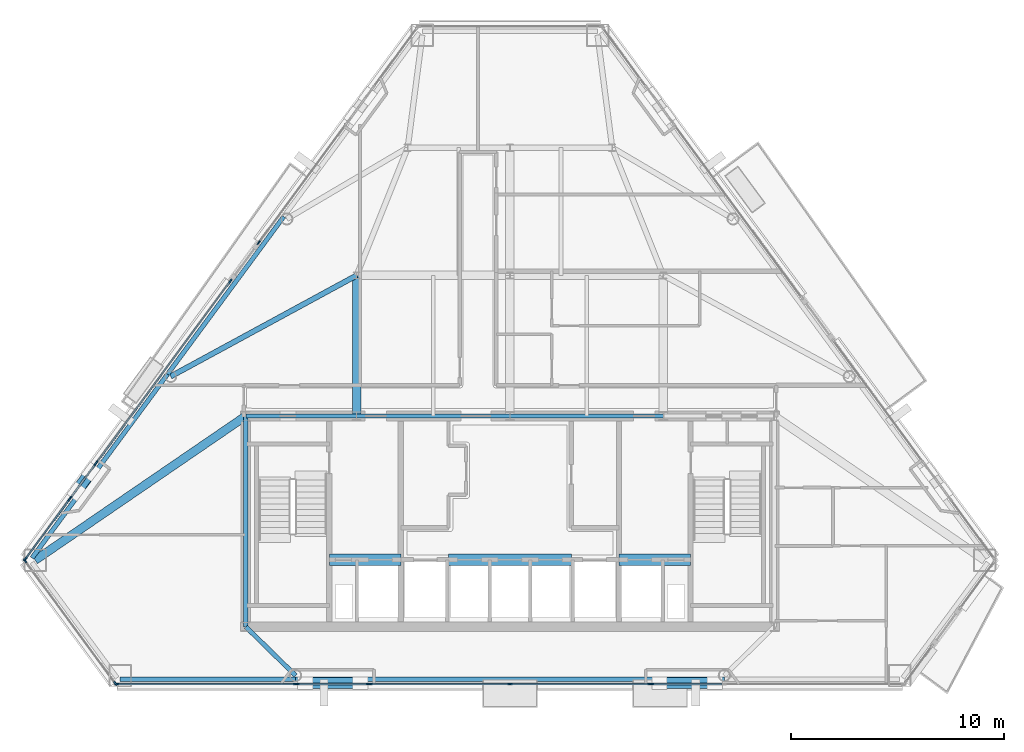
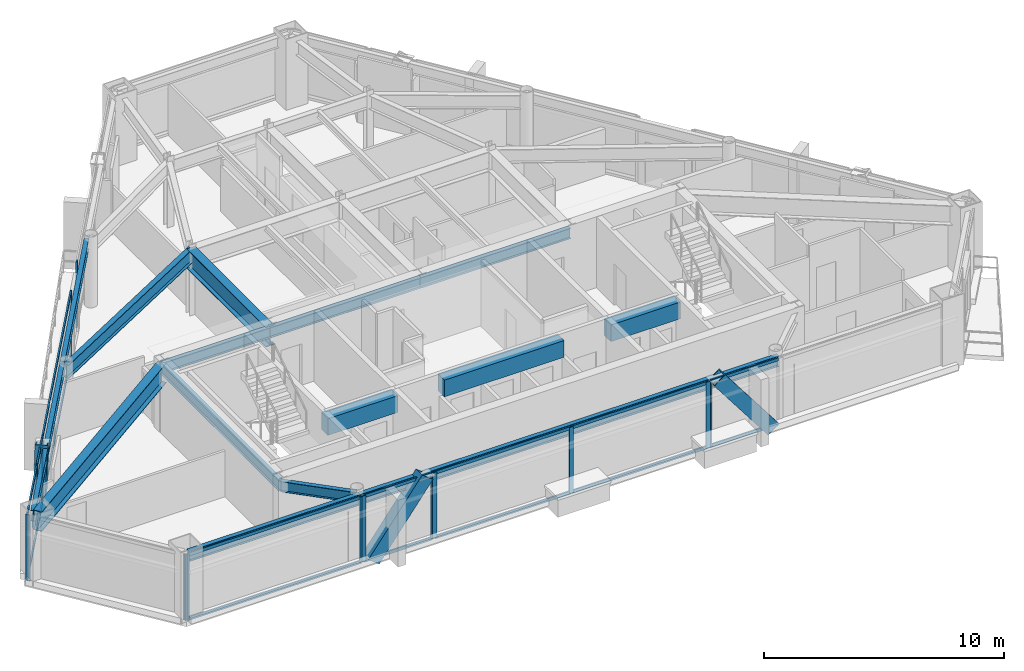
# One storey, part 3 of 11: 36 members, 15 beams, 9 elements without a shape of their own.
"""IFC4 building model written with IfcOpenShell, lengths in metres."""

from ifc_helpers import new_model, si_unit, direction, frame, origin, origin_2d, place, context, subcontext, project, spatial, rectangle, hollow_rectangle, i_section, extrude, material, layer, layer_set, material_profile, profile_set, type_object, element, aggregate, save


model = new_model("IFC4")

# Units and contexts
model_context = context("Model", 3, precision=1e-05, world=origin(), true_north=direction((0.0, 1.0)))
body_context = subcontext(model_context, "Body", "Model", "MODEL_VIEW")
ifc_project = project(units=[si_unit("LENGTHUNIT", "METRE"), si_unit("AREAUNIT", "SQUARE_METRE"), si_unit("VOLUMEUNIT", "CUBIC_METRE"), si_unit("PLANEANGLEUNIT", "RADIAN"), si_unit("MASSUNIT", "GRAM", prefix="KILO")], contexts=[model_context])

# Site, building, storey
site_placement = place(None, origin())
site = spatial("IfcSite", under=ifc_project, at=site_placement, CompositionType="ELEMENT")
building_placement = place(site_placement, origin())
building = spatial("IfcBuilding", under=site, at=building_placement, Name="Talgorran Terracotta Tower", CompositionType="ELEMENT")
storey_placement = place(building_placement, frame((0.0, 0.0, 178.5)))
storey = spatial("IfcBuildingStorey", under=building, at=storey_placement, Name="L46", CompositionType="ELEMENT", Elevation=178.5)

# Beams
ifc_material_1 = material(Name="Steel Grade 350 (350L0)", Category="steel")
ifc_material_profile_1 = material_profile(ifc_material_1, i_section(OverallWidth=0.39990234375, OverallDepth=1.0, WebThickness=0.01611328125, FlangeThickness=0.031005859375, at=origin_2d()), Name="1000WB296")
ifc_profile_set_1 = profile_set([ifc_material_profile_1], Name="Steel Grade 350 (350L0)")
beam_type_1 = type_object("IfcBeamType", Name="BM_1000WB296", PredefinedType="BEAM", material=ifc_profile_set_1)
beam_1_placement = place(storey_placement, frame((-7.199951171875, -4.199951171875, 2.85009765625), z_axis=(0.0, 1.0, 0.0), x_axis=(-1.0, 0.0, 0.0)))
element("IfcBeam", 1, at=beam_1_placement, inside=storey, type_object=beam_type_1, Name="L46 Floor Girder G01", PredefinedType="BEAM", context=body_context, shape_type="SweptSolid", body=[
    extrude(i_section(OverallWidth=0.39990234375, OverallDepth=1.0, WebThickness=0.01611328125, FlangeThickness=0.031005859375, at=origin_2d()), origin(), (0.0, 0.0, 1.0), 6.599853515625),
])
beam_2_placement = place(storey_placement, frame((-12.39990234375, -4.199951171875, 2.85009765625), z_axis=(-0.82528178588, -0.564721147023, 0.0), x_axis=(0.564721147023, -0.82528178588, 0.0)))
element("IfcBeam", 2, at=beam_2_placement, inside=storey, type_object=beam_type_1, Name="L46 Floor Girder G17", PredefinedType="BEAM", context=body_context, shape_type="SweptSolid", body=[
    extrude(i_section(OverallWidth=0.39990234375, OverallDepth=1.0, WebThickness=0.01611328125, FlangeThickness=0.031005859375, at=origin_2d()), origin(), (0.0, 0.0, 1.0), 11.98876953125),
])
ifc_material_2 = material(Name="Steel S355 (300PLUS)", Category="steel")
ifc_material_profile_2 = material_profile(ifc_material_2, i_section(OverallWidth=0.25, OverallDepth=0.699951171875, WebThickness=0.011962890625, FlangeThickness=0.02392578125, at=origin_2d()), Name="700WB150")
ifc_profile_set_2 = profile_set([ifc_material_profile_2], Name="Steel S355 (300PLUS)")
beam_type_2 = type_object("IfcBeamType", Name="BM_700WB150", PredefinedType="BEAM", material=ifc_profile_set_2)
beam_3_placement = place(storey_placement, frame((-7.199951171875, 2.39990234375, 3.0), z_axis=(-0.878788070387, -0.477212245594, 0.0), x_axis=(0.477212245594, -0.878788070387, 0.0)))
element("IfcBeam", 3, at=beam_3_placement, inside=storey, type_object=beam_type_2, Name="L46 Floor Girder G06", PredefinedType="BEAM", context=body_context, shape_type="SweptSolid", body=[
    extrude(i_section(OverallWidth=0.25, OverallDepth=0.699951171875, WebThickness=0.011962890625, FlangeThickness=0.02392578125, at=origin_2d()), origin(), (0.0, 0.0, 1.0), 9.935302734375),
])
ifc_material_3 = material(Name="Concrete C50/60", Category="concrete")
ifc_material_profile_3 = material_profile(ifc_material_3, rectangle(XDim=0.550048828125, YDim=0.85009765625, at=origin_2d()), Name="RCCB550X850")
ifc_profile_set_3 = profile_set([ifc_material_profile_3], Name="Concrete C50/60")
beam_type_3 = type_object("IfcBeamType", Name="BM_CB_550X850", PredefinedType="LINTEL", material=ifc_profile_set_3)
beam_4_placement = place(storey_placement, frame((-8.47998046875, -10.949951171875, 2.925048828125), z_axis=(1.0, 0.0, 0.0), x_axis=(0.0, 1.0, 0.0)))
element("IfcBeam", 4, at=beam_4_placement, inside=storey, type_object=beam_type_3, Name="L46 Core Shear-Wall Coupling Beam CB1", PredefinedType="LINTEL", context=body_context, shape_type="SweptSolid", body=[
    extrude(rectangle(XDim=0.550048828125, YDim=0.85009765625, at=origin_2d()), origin(), (0.0, 0.0, 1.0), 3.35986328125),
])
beam_5_placement = place(storey_placement, frame((-2.8798828125, -10.949951171875, 2.925048828125), z_axis=(1.0, 0.0, 0.0), x_axis=(0.0, 1.0, 0.0)))
element("IfcBeam", 5, at=beam_5_placement, inside=storey, type_object=beam_type_3, Name="L46 Core Shear-Wall Coupling Beam CB2", PredefinedType="LINTEL", context=body_context, shape_type="SweptSolid", body=[
    extrude(rectangle(XDim=0.550048828125, YDim=0.85009765625, at=origin_2d()), origin(), (0.0, 0.0, 1.0), 5.759765625),
])
beam_6_placement = place(storey_placement, frame((5.1201171875, -10.949951171875, 2.925048828125), z_axis=(1.0, 0.0, 0.0), x_axis=(0.0, 1.0, 0.0)))
element("IfcBeam", 6, at=beam_6_placement, inside=storey, type_object=beam_type_3, Name="L46 Core Shear-Wall Coupling Beam CB3", PredefinedType="LINTEL", context=body_context, shape_type="SweptSolid", body=[
    extrude(rectangle(XDim=0.550048828125, YDim=0.85009765625, at=origin_2d()), origin(), (0.0, 0.0, 1.0), 3.35986328125),
])
ifc_material_profile_4 = material_profile(ifc_material_2, i_section(OverallWidth=0.209228515625, OverallDepth=0.532958984375, WebThickness=0.01025390625, FlangeThickness=0.015625, at=origin_2d()), Name="530UB92.4")
ifc_profile_set_4 = profile_set([ifc_material_profile_4], Name="Steel S355 (300PLUS)")
beam_type_4 = type_object("IfcBeamType", Name="BM_SP_530UB92", PredefinedType="SPANDREL", material=ifc_profile_set_4)
beam_7_placement = place(storey_placement, frame((-18.30078125, -16.565673828125, 3.08349609375), z_axis=(1.0, 0.0, 0.0), x_axis=(0.0, 1.0, 0.0)))
element("IfcBeam", 7, at=beam_7_placement, inside=storey, type_object=beam_type_4, Name="L46 Perimeter Spandrel Beam MC2-FC1", PredefinedType="SPANDREL", context=body_context, shape_type="SweptSolid", body=[
    extrude(i_section(OverallWidth=0.209228515625, OverallDepth=0.532958984375, WebThickness=0.01025390625, FlangeThickness=0.015625, at=origin_2d()), origin(), (0.0, 0.0, 1.0), 8.2353515625),
])
beam_8_placement = place(storey_placement, frame((-10.0654296875, -16.565673828125, 3.08349609375), z_axis=(1.0, 0.0, 0.0), x_axis=(0.0, 1.0, 0.0)))
element("IfcBeam", 8, at=beam_8_placement, inside=storey, type_object=beam_type_4, Name="L46 Perimeter Spandrel Beam FC1-FC2", PredefinedType="SPANDREL", context=body_context, shape_type="SweptSolid", body=[
    extrude(i_section(OverallWidth=0.209228515625, OverallDepth=0.532958984375, WebThickness=0.01025390625, FlangeThickness=0.015625, at=origin_2d()), origin(), (0.0, 0.0, 1.0), 20.130859375),
])
beam_9_placement = place(storey_placement, frame((-10.621826171875, 5.16162109375, 3.08349609375), z_axis=(-0.593498050336, -0.804835426809, 0.0), x_axis=(0.804835426809, -0.593498050336, 0.0)))
element("IfcBeam", 9, at=beam_9_placement, inside=storey, type_object=beam_type_4, Name="L46 Perimeter Spandrel Beam FC5-FC6", PredefinedType="SPANDREL", context=body_context, shape_type="SweptSolid", body=[
    extrude(i_section(OverallWidth=0.209228515625, OverallDepth=0.532958984375, WebThickness=0.01025390625, FlangeThickness=0.015625, at=origin_2d()), origin(), (0.0, 0.0, 1.0), 9.189697265625),
])
beam_10_placement = place(storey_placement, frame((-16.075927734375, -2.234619140625, 3.08349609375), z_axis=(-0.593480195487, -0.804848592944, 0.0), x_axis=(0.804848592944, -0.593480195487, 0.0)))
element("IfcBeam", 10, at=beam_10_placement, inside=storey, type_object=beam_type_4, Name="L46 Perimeter Spandrel Beam FC6-MC1", PredefinedType="SPANDREL", context=body_context, shape_type="SweptSolid", body=[
    extrude(i_section(OverallWidth=0.209228515625, OverallDepth=0.532958984375, WebThickness=0.01025390625, FlangeThickness=0.015625, at=origin_2d()), origin(), (0.0, 0.0, 1.0), 10.72119140625),
])
beam_11_placement = place(storey_placement, frame((-10.0654296875, -16.385498046875, 3.08349609375), z_axis=(-0.714577354867, 0.699556433686, 0.0), x_axis=(-0.699556433686, -0.714577354867, 0.0)))
element("IfcBeam", 11, at=beam_11_placement, inside=storey, type_object=beam_type_4, Name="L46 South-West Core Tie Beam", PredefinedType="SPANDREL", context=body_context, shape_type="SweptSolid", body=[
    extrude(i_section(OverallWidth=0.209228515625, OverallDepth=0.532958984375, WebThickness=0.01025390625, FlangeThickness=0.015625, at=origin_2d()), origin(), (0.0, 0.0, 1.0), 3.266845703125),
])
beam_12_placement = place(storey_placement, frame((-12.39990234375, -14.10009765625, 3.08349609375), z_axis=(0.0, 1.0, 0.0), x_axis=(-1.0, 0.0, 0.0)))
element("IfcBeam", 12, at=beam_12_placement, inside=storey, type_object=beam_type_4, Name="L46 Core Frame Beam CFW", PredefinedType="SPANDREL", context=body_context, shape_type="SweptSolid", body=[
    extrude(i_section(OverallWidth=0.209228515625, OverallDepth=0.532958984375, WebThickness=0.01025390625, FlangeThickness=0.015625, at=origin_2d()), origin(), (0.0, 0.0, 1.0), 9.900146484375),
])
beam_13_placement = place(storey_placement, frame((-12.39990234375, -4.199951171875, 3.08349609375), z_axis=(1.0, 0.0, 0.0), x_axis=(0.0, 1.0, 0.0)))
element("IfcBeam", 13, at=beam_13_placement, inside=storey, type_object=beam_type_4, Name="L46 Core Frame Beam CFN1", PredefinedType="SPANDREL", context=body_context, shape_type="SweptSolid", body=[
    extrude(i_section(OverallWidth=0.209228515625, OverallDepth=0.532958984375, WebThickness=0.01025390625, FlangeThickness=0.015625, at=origin_2d()), origin(), (0.0, 0.0, 1.0), 5.199951171875),
])
for number, where, z_axis, x_axis, name in (
    (14, (-7.199951171875, -4.199951171875, 3.08349609375), (1.0, 0.0, 0.0), (0.0, 1.0, 0.0), "L46 Core Frame Beam CFN2"),
    (15, (0.0, -4.199951171875, 3.08349609375), (1.0, 0.0, 0.0), (0.0, 1.0, 0.0), "L46 Core Frame Beam CFN3"),
):
    element("IfcBeam", number, at=place(storey_placement, frame(where, z_axis=z_axis, x_axis=x_axis)), inside=storey, type_object=beam_type_4, Name=name, PredefinedType="SPANDREL", context=body_context, shape_type="SweptSolid", body=[
        extrude(i_section(OverallWidth=0.209228515625, OverallDepth=0.532958984375, WebThickness=0.01025390625, FlangeThickness=0.015625, at=origin_2d()), origin(), (0.0, 0.0, 1.0), 7.199951171875),
    ])

# Members
ifc_material_profile_5 = material_profile(ifc_material_1, hollow_rectangle(XDim=0.52001953125, YDim=0.659912109375, WallThickness=0.034912109375, at=origin_2d()), Name="WBOX660X520X35")
ifc_profile_set_5 = profile_set([ifc_material_profile_5], Name="Steel Grade 350 (350L0)")
member_type_1 = type_object("IfcMemberType", Name="MB_MEGA_660", PredefinedType="BRACE", material=ifc_profile_set_5)
member_1_placement = place(storey_placement, frame((-9.61083984375, -16.74560546875, -0.02490234375), z_axis=(0.605598932169, 0.0, 0.795770025419), x_axis=(0.0, 1.0, 0.0)))
element("IfcMember", 16, at=member_1_placement, inside=storey, type_object=member_type_1, Name="L46 Exterior Face Mega-Brace MB-3 (SWF)", PredefinedType="BRACE", context=body_context, shape_type="SweptSolid", body=[
    extrude(hollow_rectangle(XDim=0.52001953125, YDim=0.659912109375, WallThickness=0.034912109375, at=origin_2d()), origin(), (0.0, 0.0, 1.0), 4.2724609375),
])
member_2_placement = place(storey_placement, frame((9.61083984375, -16.74560546875, -0.02490234375), z_axis=(-0.605635115938, 0.0, 0.795742487456), x_axis=(0.0, -1.0, 0.0)))
element("IfcMember", 17, at=member_2_placement, inside=storey, type_object=member_type_1, Name="L46 Exterior Face Mega-Brace MB-3 (SEF)", PredefinedType="BRACE", context=body_context, shape_type="SweptSolid", body=[
    extrude(hollow_rectangle(XDim=0.52001953125, YDim=0.659912109375, WallThickness=0.034912109375, at=origin_2d()), origin(), (0.0, 0.0, 1.0), 4.272705078125),
])
member_3_placement = place(storey_placement, frame((-20.36181640625, -7.743408203125, -0.02490234375), z_axis=(0.190192995506, 0.25780810192, 0.947291722251), x_axis=(-0.804714153157, 0.593662472883, 0.0)))
element("IfcMember", 18, at=member_3_placement, inside=storey, type_object=member_type_1, Name="L46 Exterior Face Mega-Brace MB-3 (NWL)", PredefinedType="BRACE", context=body_context, shape_type="SweptSolid", body=[
    extrude(hollow_rectangle(XDim=0.52001953125, YDim=0.659912109375, WallThickness=0.034912109375, at=origin_2d()), origin(), (0.0, 0.0, 1.0), 3.589111328125),
])

# Curtain wall, members
ifc_material_4 = material(Name="High-Wind Unitised Glazing", Category="glass")
ifc_layer = layer(ifc_material_4, 0.2099609375, Name="CW_SYS3_RES_HIGH")
ifc_layer_set = layer_set([ifc_layer], Name="High-Wind Unitised Glazing")
curtain_wall_type = type_object("IfcCurtainWallType", Name="CW_SYS3_RES_HIGH", PredefinedType="NOTDEFINED", material=ifc_layer_set)
curtain_wall_1_placement = place(storey_placement, origin())
curtain_wall_1 = element("IfcCurtainWall", 19, at=curtain_wall_1_placement, inside=storey, type_object=curtain_wall_type, Name="CW-L46-F0", PredefinedType="NOTDEFINED")
ifc_material_5 = material(Name="Architectural Aluminium 6063-T6", Category="aluminium")
ifc_material_profile_6 = material_profile(ifc_material_5, rectangle(XDim=0.070068359375, YDim=0.199951171875, at=origin_2d()), Name="CWM70X200")
ifc_profile_set_6 = profile_set([ifc_material_profile_6], Name="Architectural Aluminium 6063-T6")
member_type_2 = type_object("IfcMemberType", Name="MUL_70X200", PredefinedType="MULLION", material=ifc_profile_set_6)
member_4_placement = place(storey_placement, frame((-22.77001953125, -10.99853515625, 0.0), z_axis=(0.0, 0.0, 1.0), x_axis=(0.804841499819, 0.593489814714, 0.0)))
member_4 = element("IfcMember", 20, at=member_4_placement, type_object=member_type_2, Name="CW-L46-0 mullion 1", PredefinedType="MULLION", context=body_context, shape_type="SweptSolid", body=[
    extrude(rectangle(XDim=0.070068359375, YDim=0.199951171875, at=origin_2d()), origin(), (0.0, 0.0, 1.0), 3.35009765625),
])
member_5_placement = place(storey_placement, frame((-18.5234375, -16.75732421875, 0.0), z_axis=(0.0, 0.0, 1.0), x_axis=(0.804841499819, 0.593489814714, 0.0)))
member_5 = element("IfcMember", 21, at=member_5_placement, type_object=member_type_2, Name="CW-L46-0 mullion 2", PredefinedType="MULLION", context=body_context, shape_type="SweptSolid", body=[
    extrude(rectangle(XDim=0.070068359375, YDim=0.199951171875, at=origin_2d()), origin(), (0.0, 0.0, 1.0), 3.35009765625),
])
aggregate(curtain_wall_1, [member_4, member_5])

curtain_wall_2_placement = place(storey_placement, origin())
curtain_wall_2 = element("IfcCurtainWall", 22, at=curtain_wall_2_placement, inside=storey, type_object=curtain_wall_type, Name="CW-L46-F1", PredefinedType="NOTDEFINED")
member_6_placement = place(storey_placement, frame((-18.4677734375, -16.78564453125, 0.0), z_axis=(0.0, 0.0, 1.0), x_axis=(0.0, 1.0, 0.0)))
member_6 = element("IfcMember", 23, at=member_6_placement, type_object=member_type_2, Name="CW-L46-1 mullion 1", PredefinedType="MULLION", context=body_context, shape_type="SweptSolid", body=[
    extrude(rectangle(XDim=0.070068359375, YDim=0.199951171875, at=origin_2d()), origin(), (0.0, 0.0, 1.0), 3.35009765625),
])
member_7_placement = place(storey_placement, frame((-10.0634765625, -16.78564453125, 0.0), z_axis=(0.0, 0.0, 1.0), x_axis=(0.0, 1.0, 0.0)))
member_7 = element("IfcMember", 24, at=member_7_placement, type_object=member_type_2, Name="CW-L46-1 mullion 2", PredefinedType="MULLION", context=body_context, shape_type="SweptSolid", body=[
    extrude(rectangle(XDim=0.070068359375, YDim=0.199951171875, at=origin_2d()), origin(), (0.0, 0.0, 1.0), 3.35009765625),
])

curtain_wall_3_placement = place(storey_placement, origin())
curtain_wall_3 = element("IfcCurtainWall", 25, at=curtain_wall_3_placement, inside=storey, type_object=curtain_wall_type, Name="CW-L46-F1B", PredefinedType="NOTDEFINED")
member_8_placement = place(storey_placement, frame((-9.9833984375, -16.78564453125, 0.0), z_axis=(0.0, 0.0, 1.0), x_axis=(0.0, 1.0, 0.0)))
member_8 = element("IfcMember", 26, at=member_8_placement, type_object=member_type_2, Name="CW-L46-1B mullion 1", PredefinedType="MULLION", context=body_context, shape_type="SweptSolid", body=[
    extrude(rectangle(XDim=0.070068359375, YDim=0.199951171875, at=origin_2d()), origin(), (0.0, 0.0, 1.0), 3.35009765625),
])
member_9_placement = place(storey_placement, frame((-6.65087890625, -16.78564453125, 0.0), z_axis=(0.0, 0.0, 1.0), x_axis=(0.0, 1.0, 0.0)))
member_9 = element("IfcMember", 27, at=member_9_placement, type_object=member_type_2, Name="CW-L46-1B mullion 2", PredefinedType="MULLION", context=body_context, shape_type="SweptSolid", body=[
    extrude(rectangle(XDim=0.070068359375, YDim=0.199951171875, at=origin_2d()), origin(), (0.0, 0.0, 1.0), 3.35009765625),
])

curtain_wall_4_placement = place(storey_placement, origin())
curtain_wall_4 = element("IfcCurtainWall", 28, at=curtain_wall_4_placement, inside=storey, type_object=curtain_wall_type, Name="CW-L46-F1C", PredefinedType="NOTDEFINED")
member_10_placement = place(storey_placement, frame((-6.57080078125, -16.78564453125, 0.0), z_axis=(0.0, 0.0, 1.0), x_axis=(0.0, 1.0, 0.0)))
member_10 = element("IfcMember", 29, at=member_10_placement, type_object=member_type_2, Name="CW-L46-1C mullion 1", PredefinedType="MULLION", context=body_context, shape_type="SweptSolid", body=[
    extrude(rectangle(XDim=0.070068359375, YDim=0.199951171875, at=origin_2d()), origin(), (0.0, 0.0, 1.0), 3.35009765625),
])
member_11_placement = place(storey_placement, frame((0.0, -16.78564453125, 0.0), z_axis=(0.0, 0.0, 1.0), x_axis=(0.0, 1.0, 0.0)))
member_11 = element("IfcMember", 30, at=member_11_placement, type_object=member_type_2, Name="CW-L46-1C mullion 2", PredefinedType="MULLION", context=body_context, shape_type="SweptSolid", body=[
    extrude(rectangle(XDim=0.070068359375, YDim=0.199951171875, at=origin_2d()), origin(), (0.0, 0.0, 1.0), 3.35009765625),
])
member_12_placement = place(storey_placement, frame((6.57080078125, -16.78564453125, 0.0), z_axis=(0.0, 0.0, 1.0), x_axis=(0.0, 1.0, 0.0)))
member_12 = element("IfcMember", 31, at=member_12_placement, type_object=member_type_2, Name="CW-L46-1C mullion 3", PredefinedType="MULLION", context=body_context, shape_type="SweptSolid", body=[
    extrude(rectangle(XDim=0.070068359375, YDim=0.199951171875, at=origin_2d()), origin(), (0.0, 0.0, 1.0), 3.35009765625),
])

# Curtain wall, member
curtain_wall_5_placement = place(storey_placement, origin())
curtain_wall_5 = element("IfcCurtainWall", 32, at=curtain_wall_5_placement, inside=storey, type_object=curtain_wall_type, Name="CW-L46-F1D", PredefinedType="NOTDEFINED")
member_13_placement = place(storey_placement, frame((6.650634765625, -16.78564453125, 0.0), z_axis=(0.0, 0.0, 1.0), x_axis=(0.0, 1.0, 0.0)))
member_13 = element("IfcMember", 33, at=member_13_placement, type_object=member_type_2, Name="CW-L46-1D mullion 1", PredefinedType="MULLION", context=body_context, shape_type="SweptSolid", body=[
    extrude(rectangle(XDim=0.070068359375, YDim=0.199951171875, at=origin_2d()), origin(), (0.0, 0.0, 1.0), 3.35009765625),
])

curtain_wall_6_placement = place(storey_placement, origin())
curtain_wall_6 = element("IfcCurtainWall", 34, at=curtain_wall_6_placement, inside=storey, type_object=curtain_wall_type, Name="CW-L46-F60C", PredefinedType="NOTDEFINED")
member_14_placement = place(storey_placement, frame((-11.7998046875, 3.934814453125, 0.0), z_axis=(0.0, 0.0, 1.0), x_axis=(0.804837038972, -0.593495864096, 0.0)))
member_14 = element("IfcMember", 35, at=member_14_placement, type_object=member_type_2, Name="CW-L46-60C mullion 2", PredefinedType="MULLION", context=body_context, shape_type="SweptSolid", body=[
    extrude(rectangle(XDim=0.070068359375, YDim=0.199951171875, at=origin_2d()), origin(), (0.0, 0.0, 1.0), 3.35009765625),
])
aggregate(curtain_wall_6, [member_14])

# Curtain wall, members
curtain_wall_7_placement = place(storey_placement, origin())
curtain_wall_7 = element("IfcCurtainWall", 36, at=curtain_wall_7_placement, inside=storey, type_object=curtain_wall_type, Name="CW-L46-F61", PredefinedType="NOTDEFINED")
member_15_placement = place(storey_placement, frame((-13.123291015625, 2.14013671875, 0.0), z_axis=(0.0, 0.0, 1.0), x_axis=(0.804839735788, -0.593492206939, 0.0)))
member_15 = element("IfcMember", 37, at=member_15_placement, type_object=member_type_2, Name="CW-L46-61 mullion 1", PredefinedType="MULLION", context=body_context, shape_type="SweptSolid", body=[
    extrude(rectangle(XDim=0.070068359375, YDim=0.199951171875, at=origin_2d()), origin(), (0.0, 0.0, 1.0), 3.35009765625),
])
member_16_placement = place(storey_placement, frame((-19.413330078125, -6.3896484375, 0.0), z_axis=(0.0, 0.0, 1.0), x_axis=(0.804839735788, -0.593492206939, 0.0)))
member_16 = element("IfcMember", 38, at=member_16_placement, type_object=member_type_2, Name="CW-L46-61 mullion 2", PredefinedType="MULLION", context=body_context, shape_type="SweptSolid", body=[
    extrude(rectangle(XDim=0.070068359375, YDim=0.199951171875, at=origin_2d()), origin(), (0.0, 0.0, 1.0), 3.35009765625),
])

curtain_wall_8_placement = place(storey_placement, origin())
curtain_wall_8 = element("IfcCurtainWall", 39, at=curtain_wall_8_placement, inside=storey, type_object=curtain_wall_type, Name="CW-L46-F61B", PredefinedType="NOTDEFINED")
member_17_placement = place(storey_placement, frame((-19.460693359375, -6.4541015625, 0.0), z_axis=(0.0, 0.0, 1.0), x_axis=(0.804842805539, -0.593488044001, 0.0)))
member_17 = element("IfcMember", 40, at=member_17_placement, type_object=member_type_2, Name="CW-L46-61B mullion 1", PredefinedType="MULLION", context=body_context, shape_type="SweptSolid", body=[
    extrude(rectangle(XDim=0.070068359375, YDim=0.199951171875, at=origin_2d()), origin(), (0.0, 0.0, 1.0), 3.35009765625),
])
member_18_placement = place(storey_placement, frame((-20.644775390625, -8.059814453125, 0.0), z_axis=(0.0, 0.0, 1.0), x_axis=(0.804842805539, -0.593488044001, 0.0)))
member_18 = element("IfcMember", 41, at=member_18_placement, type_object=member_type_2, Name="CW-L46-61B mullion 2", PredefinedType="MULLION", context=body_context, shape_type="SweptSolid", body=[
    extrude(rectangle(XDim=0.070068359375, YDim=0.199951171875, at=origin_2d()), origin(), (0.0, 0.0, 1.0), 3.35009765625),
])

curtain_wall_9_placement = place(storey_placement, origin())
curtain_wall_9 = element("IfcCurtainWall", 42, at=curtain_wall_9_placement, inside=storey, type_object=curtain_wall_type, Name="CW-L46-F61C", PredefinedType="NOTDEFINED")
member_19_placement = place(storey_placement, frame((-20.6923828125, -8.124267578125, 0.0), z_axis=(0.0, 0.0, 1.0), x_axis=(0.804840108545, -0.59349170144, 0.0)))
member_19 = element("IfcMember", 43, at=member_19_placement, type_object=member_type_2, Name="CW-L46-61C mullion 1", PredefinedType="MULLION", context=body_context, shape_type="SweptSolid", body=[
    extrude(rectangle(XDim=0.070068359375, YDim=0.199951171875, at=origin_2d()), origin(), (0.0, 0.0, 1.0), 3.35009765625),
])
member_20_placement = place(storey_placement, frame((-22.746337890625, -10.909912109375, 0.0), z_axis=(0.0, 0.0, 1.0), x_axis=(0.804840108545, -0.59349170144, 0.0)))
member_20 = element("IfcMember", 44, at=member_20_placement, type_object=member_type_2, Name="CW-L46-61C mullion 2", PredefinedType="MULLION", context=body_context, shape_type="SweptSolid", body=[
    extrude(rectangle(XDim=0.070068359375, YDim=0.199951171875, at=origin_2d()), origin(), (0.0, 0.0, 1.0), 3.35009765625),
])

# Member
ifc_material_profile_7 = material_profile(ifc_material_5, rectangle(XDim=0.070068359375, YDim=0.159912109375, at=origin_2d()), Name="CWT70X160")
ifc_profile_set_7 = profile_set([ifc_material_profile_7], Name="Architectural Aluminium 6063-T6")
member_type_3 = type_object("IfcMemberType", Name="TRN_70X160", PredefinedType="USERDEFINED", material=ifc_profile_set_7)
member_21_placement = place(storey_placement, frame((-18.4326171875, -16.78564453125, 0.034912109375), z_axis=(1.0, 0.0, 0.0), x_axis=(0.0, 1.0, 0.0)))
member_21 = element("IfcMember", 45, at=member_21_placement, type_object=member_type_3, Name="CW-L46-1 transom 1.1", ObjectType="TRANSOM", PredefinedType="USERDEFINED", context=body_context, shape_type="SweptSolid", body=[
    extrude(rectangle(XDim=0.070068359375, YDim=0.159912109375, at=origin_2d()), origin(), (0.0, 0.0, 1.0), 8.334228515625),
])

member_22_placement = place(storey_placement, frame((-18.4326171875, -16.78564453125, 3.31494140625), z_axis=(1.0, 0.0, 0.0), x_axis=(0.0, 1.0, 0.0)))
member_22 = element("IfcMember", 46, at=member_22_placement, type_object=member_type_3, Name="CW-L46-1 transom 1.2", ObjectType="TRANSOM", PredefinedType="USERDEFINED", context=body_context, shape_type="SweptSolid", body=[
    extrude(rectangle(XDim=0.070068359375, YDim=0.159912109375, at=origin_2d()), origin(), (0.0, 0.0, 1.0), 8.334228515625),
])

aggregate(curtain_wall_2, [member_6, member_7, member_21, member_22])

member_23_placement = place(storey_placement, frame((-9.948486328125, -16.78564453125, 0.034912109375), z_axis=(1.0, 0.0, 0.0), x_axis=(0.0, 1.0, 0.0)))
member_23 = element("IfcMember", 47, at=member_23_placement, type_object=member_type_3, Name="CW-L46-1B transom 1.1", ObjectType="TRANSOM", PredefinedType="USERDEFINED", context=body_context, shape_type="SweptSolid", body=[
    extrude(rectangle(XDim=0.070068359375, YDim=0.159912109375, at=origin_2d()), origin(), (0.0, 0.0, 1.0), 3.2626953125),
])

member_24_placement = place(storey_placement, frame((-9.948486328125, -16.78564453125, 3.31494140625), z_axis=(1.0, 0.0, 0.0), x_axis=(0.0, 1.0, 0.0)))
member_24 = element("IfcMember", 48, at=member_24_placement, type_object=member_type_3, Name="CW-L46-1B transom 1.2", ObjectType="TRANSOM", PredefinedType="USERDEFINED", context=body_context, shape_type="SweptSolid", body=[
    extrude(rectangle(XDim=0.070068359375, YDim=0.159912109375, at=origin_2d()), origin(), (0.0, 0.0, 1.0), 3.2626953125),
])

aggregate(curtain_wall_3, [member_8, member_9, member_23, member_24])

member_25_placement = place(storey_placement, frame((-6.535888671875, -16.78564453125, 0.034912109375), z_axis=(1.0, 0.0, 0.0), x_axis=(0.0, 1.0, 0.0)))
member_25 = element("IfcMember", 49, at=member_25_placement, type_object=member_type_3, Name="CW-L46-1C transom 1.1", ObjectType="TRANSOM", PredefinedType="USERDEFINED", context=body_context, shape_type="SweptSolid", body=[
    extrude(rectangle(XDim=0.070068359375, YDim=0.159912109375, at=origin_2d()), origin(), (0.0, 0.0, 1.0), 6.500732421875),
])

member_26_placement = place(storey_placement, frame((-6.535888671875, -16.78564453125, 3.31494140625), z_axis=(1.0, 0.0, 0.0), x_axis=(0.0, 1.0, 0.0)))
member_26 = element("IfcMember", 50, at=member_26_placement, type_object=member_type_3, Name="CW-L46-1C transom 1.2", ObjectType="TRANSOM", PredefinedType="USERDEFINED", context=body_context, shape_type="SweptSolid", body=[
    extrude(rectangle(XDim=0.070068359375, YDim=0.159912109375, at=origin_2d()), origin(), (0.0, 0.0, 1.0), 6.500732421875),
])

member_27_placement = place(storey_placement, frame((0.034912109375, -16.78564453125, 0.034912109375), z_axis=(1.0, 0.0, 0.0), x_axis=(0.0, 1.0, 0.0)))
member_27 = element("IfcMember", 51, at=member_27_placement, type_object=member_type_3, Name="CW-L46-1C transom 2.1", ObjectType="TRANSOM", PredefinedType="USERDEFINED", context=body_context, shape_type="SweptSolid", body=[
    extrude(rectangle(XDim=0.070068359375, YDim=0.159912109375, at=origin_2d()), origin(), (0.0, 0.0, 1.0), 6.500732421875),
])

member_28_placement = place(storey_placement, frame((0.034912109375, -16.78564453125, 3.31494140625), z_axis=(1.0, 0.0, 0.0), x_axis=(0.0, 1.0, 0.0)))
member_28 = element("IfcMember", 52, at=member_28_placement, type_object=member_type_3, Name="CW-L46-1C transom 2.2", ObjectType="TRANSOM", PredefinedType="USERDEFINED", context=body_context, shape_type="SweptSolid", body=[
    extrude(rectangle(XDim=0.070068359375, YDim=0.159912109375, at=origin_2d()), origin(), (0.0, 0.0, 1.0), 6.500732421875),
])

aggregate(curtain_wall_4, [member_10, member_11, member_12, member_25, member_26, member_27, member_28])

member_29_placement = place(storey_placement, frame((6.685791015625, -16.78564453125, 0.034912109375), z_axis=(1.0, 0.0, 0.0), x_axis=(0.0, 1.0, 0.0)))
member_29 = element("IfcMember", 53, at=member_29_placement, type_object=member_type_3, Name="CW-L46-1D transom 1.1", ObjectType="TRANSOM", PredefinedType="USERDEFINED", context=body_context, shape_type="SweptSolid", body=[
    extrude(rectangle(XDim=0.070068359375, YDim=0.159912109375, at=origin_2d()), origin(), (0.0, 0.0, 1.0), 3.2626953125),
])

member_30_placement = place(storey_placement, frame((6.685791015625, -16.78564453125, 3.31494140625), z_axis=(1.0, 0.0, 0.0), x_axis=(0.0, 1.0, 0.0)))
member_30 = element("IfcMember", 54, at=member_30_placement, type_object=member_type_3, Name="CW-L46-1D transom 1.2", ObjectType="TRANSOM", PredefinedType="USERDEFINED", context=body_context, shape_type="SweptSolid", body=[
    extrude(rectangle(XDim=0.070068359375, YDim=0.159912109375, at=origin_2d()), origin(), (0.0, 0.0, 1.0), 3.2626953125),
])

aggregate(curtain_wall_5, [member_13, member_29, member_30])

member_31_placement = place(storey_placement, frame((-13.14404296875, 2.112060546875, 0.034912109375), z_axis=(-0.59347981128, -0.804848876251, 0.0), x_axis=(0.804848876251, -0.59347981128, 0.0)))
member_31 = element("IfcMember", 55, at=member_31_placement, type_object=member_type_3, Name="CW-L46-61 transom 1.1", ObjectType="TRANSOM", PredefinedType="USERDEFINED", context=body_context, shape_type="SweptSolid", body=[
    extrude(rectangle(XDim=0.070068359375, YDim=0.159912109375, at=origin_2d()), origin(), (0.0, 0.0, 1.0), 10.5283203125),
])

member_32_placement = place(storey_placement, frame((-13.14404296875, 2.112060546875, 3.31494140625), z_axis=(-0.59347981128, -0.804848876251, 0.0), x_axis=(0.804848876251, -0.59347981128, 0.0)))
member_32 = element("IfcMember", 56, at=member_32_placement, type_object=member_type_3, Name="CW-L46-61 transom 1.2", ObjectType="TRANSOM", PredefinedType="USERDEFINED", context=body_context, shape_type="SweptSolid", body=[
    extrude(rectangle(XDim=0.070068359375, YDim=0.159912109375, at=origin_2d()), origin(), (0.0, 0.0, 1.0), 10.5283203125),
])

aggregate(curtain_wall_7, [member_15, member_16, member_31, member_32])

member_33_placement = place(storey_placement, frame((-19.4814453125, -6.482177734375, 0.034912109375), z_axis=(-0.593467194133, -0.804858179736, 0.0), x_axis=(0.804858179736, -0.593467194133, 0.0)))
member_33 = element("IfcMember", 57, at=member_33_placement, type_object=member_type_3, Name="CW-L46-61B transom 1.1", ObjectType="TRANSOM", PredefinedType="USERDEFINED", context=body_context, shape_type="SweptSolid", body=[
    extrude(rectangle(XDim=0.070068359375, YDim=0.159912109375, at=origin_2d()), origin(), (0.0, 0.0, 1.0), 1.92529296875),
])

member_34_placement = place(storey_placement, frame((-19.4814453125, -6.482177734375, 3.31494140625), z_axis=(-0.593467194133, -0.804858179736, 0.0), x_axis=(0.804858179736, -0.593467194133, 0.0)))
member_34 = element("IfcMember", 58, at=member_34_placement, type_object=member_type_3, Name="CW-L46-61B transom 1.2", ObjectType="TRANSOM", PredefinedType="USERDEFINED", context=body_context, shape_type="SweptSolid", body=[
    extrude(rectangle(XDim=0.070068359375, YDim=0.159912109375, at=origin_2d()), origin(), (0.0, 0.0, 1.0), 1.92529296875),
])

aggregate(curtain_wall_8, [member_17, member_18, member_33, member_34])

member_35_placement = place(storey_placement, frame((-20.713134765625, -8.15234375, 0.034912109375), z_axis=(-0.593437221881, -0.804880279101, 0.0), x_axis=(0.804880279101, -0.593437221881, 0.0)))
member_35 = element("IfcMember", 59, at=member_35_placement, type_object=member_type_3, Name="CW-L46-61C transom 1.1", ObjectType="TRANSOM", PredefinedType="USERDEFINED", context=body_context, shape_type="SweptSolid", body=[
    extrude(rectangle(XDim=0.070068359375, YDim=0.159912109375, at=origin_2d()), origin(), (0.0, 0.0, 1.0), 3.39111328125),
])

member_36_placement = place(storey_placement, frame((-20.713134765625, -8.15234375, 3.31494140625), z_axis=(-0.593437221881, -0.804880279101, 0.0), x_axis=(0.804880279101, -0.593437221881, 0.0)))
member_36 = element("IfcMember", 60, at=member_36_placement, type_object=member_type_3, Name="CW-L46-61C transom 1.2", ObjectType="TRANSOM", PredefinedType="USERDEFINED", context=body_context, shape_type="SweptSolid", body=[
    extrude(rectangle(XDim=0.070068359375, YDim=0.159912109375, at=origin_2d()), origin(), (0.0, 0.0, 1.0), 3.39111328125),
])

aggregate(curtain_wall_9, [member_19, member_20, member_35, member_36])

save(model, "model.ifc")
